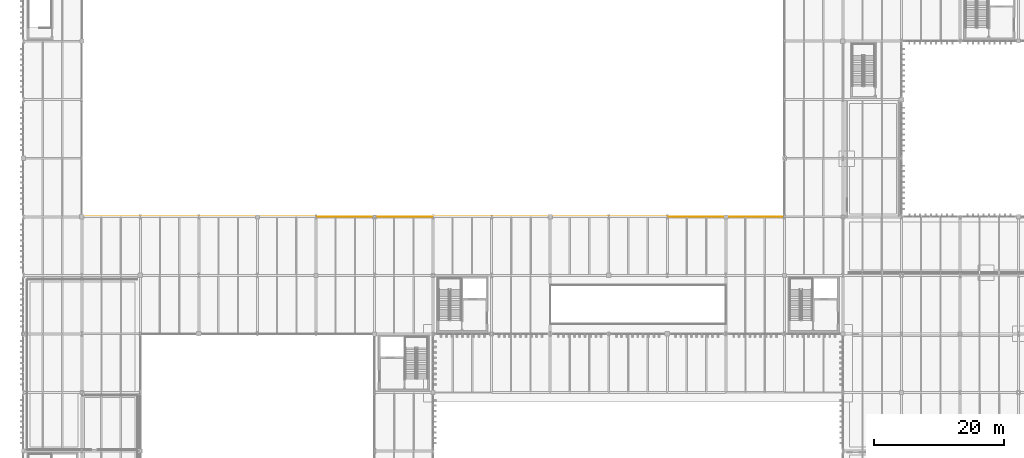
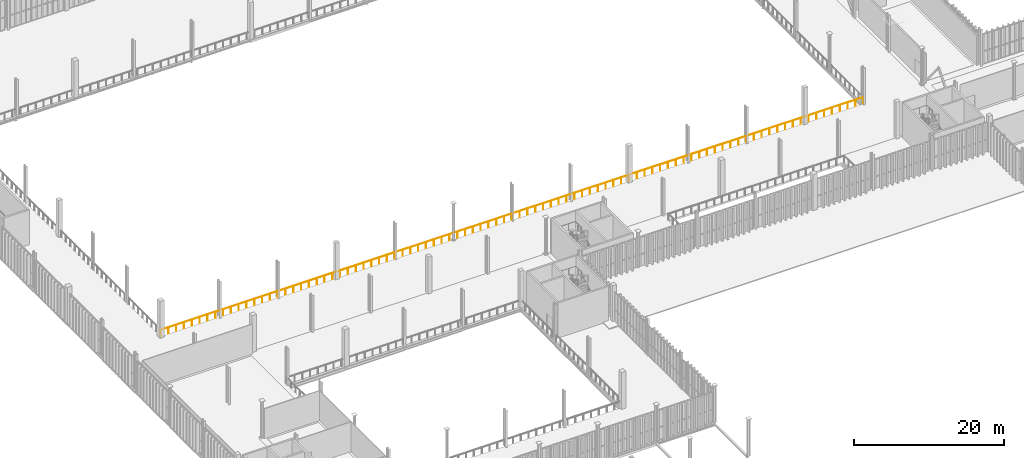
# One storey, part 190 of 211: 1 railing.
"""IFC4 building model written with IfcOpenShell, lengths in metres."""

from ifc_helpers import new_model, si_unit, direction, frame, origin, origin_2d, place, context, subcontext, project, spatial, circle, extrude, material, type_object, element, save


model = new_model("IFC4")

# Units and contexts
model_context = context("Model", 3, precision=1e-05, world=origin(), true_north=direction((0.0, 1.0)))
body_context = subcontext(model_context, "Body", "Model", "MODEL_VIEW")
ifc_project = project(units=[si_unit("LENGTHUNIT", "METRE"), si_unit("AREAUNIT", "SQUARE_METRE"), si_unit("VOLUMEUNIT", "CUBIC_METRE"), si_unit("PLANEANGLEUNIT", "RADIAN"), si_unit("MASSUNIT", "GRAM", prefix="KILO")], contexts=[model_context])

# Site, building, storey
site_placement = place(None, origin())
site = spatial("IfcSite", under=ifc_project, at=site_placement, CompositionType="ELEMENT")
building_placement = place(site_placement, origin())
building = spatial("IfcBuilding", under=site, at=building_placement, Name="Barlavento Convention Centre", CompositionType="ELEMENT")
storey_placement = place(building_placement, frame((0.0, 0.0, 6.0)))
storey = spatial("IfcBuildingStorey", under=building, at=storey_placement, Name="L01", CompositionType="ELEMENT", Elevation=6.0)

# Railing
ifc_material = material(Name="Stainless steel and laminated glass balustrade", Category="steel")
railing_type = type_object("IfcRailingType", Name="ARC-RAL-BAL-1100", PredefinedType="BALUSTRADE", material=ifc_material)
railing_placement = place(storey_placement, frame((9.0, 63.0, 0.0)))
element("IfcRailing", 1, at=railing_placement, inside=storey, type_object=railing_type, Name="L01 interior atrium or gallery balustrade GR01", PredefinedType="BALUSTRADE", context=body_context, shape_type="SweptSolid", body=[
    extrude(circle(Radius=0.02392578125, at=origin_2d()), frame((0.0, 0.0, 1.076171875), z_axis=(1.0, 0.0, 0.0), x_axis=(0.0, 1.0, 0.0)), (0.0, 0.0, 1.0), 108.0),
    extrude(circle(Radius=0.02099609375, at=origin_2d()), origin(), (0.0, 0.0, 1.0), 1.052001953125),
    extrude(circle(Radius=0.02099609375, at=origin_2d()), frame((1.199951171875, 0.0, 0.0)), (0.0, 0.0, 1.0), 1.052001953125),
    extrude(circle(Radius=0.02099609375, at=origin_2d()), frame((2.39990234375, 0.0, 0.0)), (0.0, 0.0, 1.0), 1.052001953125),
    extrude(circle(Radius=0.02099609375, at=origin_2d()), frame((3.60009765625, 0.0, 0.0)), (0.0, 0.0, 1.0), 1.052001953125),
    extrude(circle(Radius=0.02099609375, at=origin_2d()), frame((4.800048828125, 0.0, 0.0)), (0.0, 0.0, 1.0), 1.052001953125),
    extrude(circle(Radius=0.02099609375, at=origin_2d()), frame((6.0, 0.0, 0.0)), (0.0, 0.0, 1.0), 1.052001953125),
    extrude(circle(Radius=0.02099609375, at=origin_2d()), frame((7.199951171875, 0.0, 0.0)), (0.0, 0.0, 1.0), 1.052001953125),
    extrude(circle(Radius=0.02099609375, at=origin_2d()), frame((8.39990234375, 0.0, 0.0)), (0.0, 0.0, 1.0), 1.052001953125),
    extrude(circle(Radius=0.02099609375, at=origin_2d()), frame((9.60009765625, 0.0, 0.0)), (0.0, 0.0, 1.0), 1.052001953125),
    extrude(circle(Radius=0.02099609375, at=origin_2d()), frame((10.800048828125, 0.0, 0.0)), (0.0, 0.0, 1.0), 1.052001953125),
    extrude(circle(Radius=0.02099609375, at=origin_2d()), frame((12.0, 0.0, 0.0)), (0.0, 0.0, 1.0), 1.052001953125),
    extrude(circle(Radius=0.02099609375, at=origin_2d()), frame((13.199951171875, 0.0, 0.0)), (0.0, 0.0, 1.0), 1.052001953125),
    extrude(circle(Radius=0.02099609375, at=origin_2d()), frame((14.39990234375, 0.0, 0.0)), (0.0, 0.0, 1.0), 1.052001953125),
    extrude(circle(Radius=0.02099609375, at=origin_2d()), frame((15.60009765625, 0.0, 0.0)), (0.0, 0.0, 1.0), 1.052001953125),
    extrude(circle(Radius=0.02099609375, at=origin_2d()), frame((16.800048828125, 0.0, 0.0)), (0.0, 0.0, 1.0), 1.052001953125),
    extrude(circle(Radius=0.02099609375, at=origin_2d()), frame((18.0, 0.0, 0.0)), (0.0, 0.0, 1.0), 1.052001953125),
    extrude(circle(Radius=0.02099609375, at=origin_2d()), frame((19.199951171875, 0.0, 0.0)), (0.0, 0.0, 1.0), 1.052001953125),
    extrude(circle(Radius=0.02099609375, at=origin_2d()), frame((20.39990234375, 0.0, 0.0)), (0.0, 0.0, 1.0), 1.052001953125),
    extrude(circle(Radius=0.02099609375, at=origin_2d()), frame((21.60009765625, 0.0, 0.0)), (0.0, 0.0, 1.0), 1.052001953125),
    extrude(circle(Radius=0.02099609375, at=origin_2d()), frame((22.800048828125, 0.0, 0.0)), (0.0, 0.0, 1.0), 1.052001953125),
    extrude(circle(Radius=0.02099609375, at=origin_2d()), frame((24.0, 0.0, 0.0)), (0.0, 0.0, 1.0), 1.052001953125),
    extrude(circle(Radius=0.02099609375, at=origin_2d()), frame((25.199951171875, 0.0, 0.0)), (0.0, 0.0, 1.0), 1.052001953125),
    extrude(circle(Radius=0.02099609375, at=origin_2d()), frame((26.39990234375, 0.0, 0.0)), (0.0, 0.0, 1.0), 1.052001953125),
    extrude(circle(Radius=0.02099609375, at=origin_2d()), frame((27.60009765625, 0.0, 0.0)), (0.0, 0.0, 1.0), 1.052001953125),
    extrude(circle(Radius=0.02099609375, at=origin_2d()), frame((28.800048828125, 0.0, 0.0)), (0.0, 0.0, 1.0), 1.052001953125),
    extrude(circle(Radius=0.02099609375, at=origin_2d()), frame((30.0, 0.0, 0.0)), (0.0, 0.0, 1.0), 1.052001953125),
    extrude(circle(Radius=0.02099609375, at=origin_2d()), frame((31.199951171875, 0.0, 0.0)), (0.0, 0.0, 1.0), 1.052001953125),
    extrude(circle(Radius=0.02099609375, at=origin_2d()), frame((32.39990234375, 0.0, 0.0)), (0.0, 0.0, 1.0), 1.052001953125),
    extrude(circle(Radius=0.02099609375, at=origin_2d()), frame((33.60009765625, 0.0, 0.0)), (0.0, 0.0, 1.0), 1.052001953125),
    extrude(circle(Radius=0.02099609375, at=origin_2d()), frame((34.800048828125, 0.0, 0.0)), (0.0, 0.0, 1.0), 1.052001953125),
    extrude(circle(Radius=0.02099609375, at=origin_2d()), frame((36.0, 0.0, 0.0)), (0.0, 0.0, 1.0), 1.052001953125),
    extrude(circle(Radius=0.02099609375, at=origin_2d()), frame((37.199951171875, 0.0, 0.0)), (0.0, 0.0, 1.0), 1.052001953125),
    extrude(circle(Radius=0.02099609375, at=origin_2d()), frame((38.39990234375, 0.0, 0.0)), (0.0, 0.0, 1.0), 1.052001953125),
    extrude(circle(Radius=0.02099609375, at=origin_2d()), frame((39.60009765625, 0.0, 0.0)), (0.0, 0.0, 1.0), 1.052001953125),
    extrude(circle(Radius=0.02099609375, at=origin_2d()), frame((40.800048828125, 0.0, 0.0)), (0.0, 0.0, 1.0), 1.052001953125),
    extrude(circle(Radius=0.02099609375, at=origin_2d()), frame((42.0, 0.0, 0.0)), (0.0, 0.0, 1.0), 1.052001953125),
    extrude(circle(Radius=0.02099609375, at=origin_2d()), frame((43.199951171875, 0.0, 0.0)), (0.0, 0.0, 1.0), 1.052001953125),
    extrude(circle(Radius=0.02099609375, at=origin_2d()), frame((44.39990234375, 0.0, 0.0)), (0.0, 0.0, 1.0), 1.052001953125),
    extrude(circle(Radius=0.02099609375, at=origin_2d()), frame((45.60009765625, 0.0, 0.0)), (0.0, 0.0, 1.0), 1.052001953125),
    extrude(circle(Radius=0.02099609375, at=origin_2d()), frame((46.800048828125, 0.0, 0.0)), (0.0, 0.0, 1.0), 1.052001953125),
    extrude(circle(Radius=0.02099609375, at=origin_2d()), frame((48.0, 0.0, 0.0)), (0.0, 0.0, 1.0), 1.052001953125),
    extrude(circle(Radius=0.02099609375, at=origin_2d()), frame((49.199951171875, 0.0, 0.0)), (0.0, 0.0, 1.0), 1.052001953125),
    extrude(circle(Radius=0.02099609375, at=origin_2d()), frame((50.39990234375, 0.0, 0.0)), (0.0, 0.0, 1.0), 1.052001953125),
    extrude(circle(Radius=0.02099609375, at=origin_2d()), frame((51.60009765625, 0.0, 0.0)), (0.0, 0.0, 1.0), 1.052001953125),
    extrude(circle(Radius=0.02099609375, at=origin_2d()), frame((52.800048828125, 0.0, 0.0)), (0.0, 0.0, 1.0), 1.052001953125),
    extrude(circle(Radius=0.02099609375, at=origin_2d()), frame((54.0, 0.0, 0.0)), (0.0, 0.0, 1.0), 1.052001953125),
    extrude(circle(Radius=0.02099609375, at=origin_2d()), frame((55.199951171875, 0.0, 0.0)), (0.0, 0.0, 1.0), 1.052001953125),
    extrude(circle(Radius=0.02099609375, at=origin_2d()), frame((56.39990234375, 0.0, 0.0)), (0.0, 0.0, 1.0), 1.052001953125),
    extrude(circle(Radius=0.02099609375, at=origin_2d()), frame((57.60009765625, 0.0, 0.0)), (0.0, 0.0, 1.0), 1.052001953125),
    extrude(circle(Radius=0.02099609375, at=origin_2d()), frame((58.800048828125, 0.0, 0.0)), (0.0, 0.0, 1.0), 1.052001953125),
    extrude(circle(Radius=0.02099609375, at=origin_2d()), frame((60.0, 0.0, 0.0)), (0.0, 0.0, 1.0), 1.052001953125),
    extrude(circle(Radius=0.02099609375, at=origin_2d()), frame((61.199951171875, 0.0, 0.0)), (0.0, 0.0, 1.0), 1.052001953125),
    extrude(circle(Radius=0.02099609375, at=origin_2d()), frame((62.39990234375, 0.0, 0.0)), (0.0, 0.0, 1.0), 1.052001953125),
    extrude(circle(Radius=0.02099609375, at=origin_2d()), frame((63.60009765625, 0.0, 0.0)), (0.0, 0.0, 1.0), 1.052001953125),
    extrude(circle(Radius=0.02099609375, at=origin_2d()), frame((64.800048828125, 0.0, 0.0)), (0.0, 0.0, 1.0), 1.052001953125),
    extrude(circle(Radius=0.02099609375, at=origin_2d()), frame((66.0, 0.0, 0.0)), (0.0, 0.0, 1.0), 1.052001953125),
    extrude(circle(Radius=0.02099609375, at=origin_2d()), frame((67.199951171875, 0.0, 0.0)), (0.0, 0.0, 1.0), 1.052001953125),
    extrude(circle(Radius=0.02099609375, at=origin_2d()), frame((68.39990234375, 0.0, 0.0)), (0.0, 0.0, 1.0), 1.052001953125),
    extrude(circle(Radius=0.02099609375, at=origin_2d()), frame((69.60009765625, 0.0, 0.0)), (0.0, 0.0, 1.0), 1.052001953125),
    extrude(circle(Radius=0.02099609375, at=origin_2d()), frame((70.800048828125, 0.0, 0.0)), (0.0, 0.0, 1.0), 1.052001953125),
    extrude(circle(Radius=0.02099609375, at=origin_2d()), frame((72.0, 0.0, 0.0)), (0.0, 0.0, 1.0), 1.052001953125),
    extrude(circle(Radius=0.02099609375, at=origin_2d()), frame((73.199951171875, 0.0, 0.0)), (0.0, 0.0, 1.0), 1.052001953125),
    extrude(circle(Radius=0.02099609375, at=origin_2d()), frame((74.39990234375, 0.0, 0.0)), (0.0, 0.0, 1.0), 1.052001953125),
    extrude(circle(Radius=0.02099609375, at=origin_2d()), frame((75.60009765625, 0.0, 0.0)), (0.0, 0.0, 1.0), 1.052001953125),
    extrude(circle(Radius=0.02099609375, at=origin_2d()), frame((76.800048828125, 0.0, 0.0)), (0.0, 0.0, 1.0), 1.052001953125),
    extrude(circle(Radius=0.02099609375, at=origin_2d()), frame((78.0, 0.0, 0.0)), (0.0, 0.0, 1.0), 1.052001953125),
    extrude(circle(Radius=0.02099609375, at=origin_2d()), frame((79.199951171875, 0.0, 0.0)), (0.0, 0.0, 1.0), 1.052001953125),
    extrude(circle(Radius=0.02099609375, at=origin_2d()), frame((80.39990234375, 0.0, 0.0)), (0.0, 0.0, 1.0), 1.052001953125),
    extrude(circle(Radius=0.02099609375, at=origin_2d()), frame((81.60009765625, 0.0, 0.0)), (0.0, 0.0, 1.0), 1.052001953125),
    extrude(circle(Radius=0.02099609375, at=origin_2d()), frame((82.800048828125, 0.0, 0.0)), (0.0, 0.0, 1.0), 1.052001953125),
    extrude(circle(Radius=0.02099609375, at=origin_2d()), frame((84.0, 0.0, 0.0)), (0.0, 0.0, 1.0), 1.052001953125),
    extrude(circle(Radius=0.02099609375, at=origin_2d()), frame((85.199951171875, 0.0, 0.0)), (0.0, 0.0, 1.0), 1.052001953125),
    extrude(circle(Radius=0.02099609375, at=origin_2d()), frame((86.39990234375, 0.0, 0.0)), (0.0, 0.0, 1.0), 1.052001953125),
    extrude(circle(Radius=0.02099609375, at=origin_2d()), frame((87.60009765625, 0.0, 0.0)), (0.0, 0.0, 1.0), 1.052001953125),
    extrude(circle(Radius=0.02099609375, at=origin_2d()), frame((88.800048828125, 0.0, 0.0)), (0.0, 0.0, 1.0), 1.052001953125),
    extrude(circle(Radius=0.02099609375, at=origin_2d()), frame((90.0, 0.0, 0.0)), (0.0, 0.0, 1.0), 1.052001953125),
    extrude(circle(Radius=0.02099609375, at=origin_2d()), frame((91.199951171875, 0.0, 0.0)), (0.0, 0.0, 1.0), 1.052001953125),
    extrude(circle(Radius=0.02099609375, at=origin_2d()), frame((92.39990234375, 0.0, 0.0)), (0.0, 0.0, 1.0), 1.052001953125),
    extrude(circle(Radius=0.02099609375, at=origin_2d()), frame((93.60009765625, 0.0, 0.0)), (0.0, 0.0, 1.0), 1.052001953125),
    extrude(circle(Radius=0.02099609375, at=origin_2d()), frame((94.800048828125, 0.0, 0.0)), (0.0, 0.0, 1.0), 1.052001953125),
    extrude(circle(Radius=0.02099609375, at=origin_2d()), frame((96.0, 0.0, 0.0)), (0.0, 0.0, 1.0), 1.052001953125),
    extrude(circle(Radius=0.02099609375, at=origin_2d()), frame((97.199951171875, 0.0, 0.0)), (0.0, 0.0, 1.0), 1.052001953125),
    extrude(circle(Radius=0.02099609375, at=origin_2d()), frame((98.39990234375, 0.0, 0.0)), (0.0, 0.0, 1.0), 1.052001953125),
    extrude(circle(Radius=0.02099609375, at=origin_2d()), frame((99.60009765625, 0.0, 0.0)), (0.0, 0.0, 1.0), 1.052001953125),
    extrude(circle(Radius=0.02099609375, at=origin_2d()), frame((100.800048828125, 0.0, 0.0)), (0.0, 0.0, 1.0), 1.052001953125),
    extrude(circle(Radius=0.02099609375, at=origin_2d()), frame((102.0, 0.0, 0.0)), (0.0, 0.0, 1.0), 1.052001953125),
    extrude(circle(Radius=0.02099609375, at=origin_2d()), frame((103.199951171875, 0.0, 0.0)), (0.0, 0.0, 1.0), 1.052001953125),
    extrude(circle(Radius=0.02099609375, at=origin_2d()), frame((104.39990234375, 0.0, 0.0)), (0.0, 0.0, 1.0), 1.052001953125),
    extrude(circle(Radius=0.02099609375, at=origin_2d()), frame((105.60009765625, 0.0, 0.0)), (0.0, 0.0, 1.0), 1.052001953125),
    extrude(circle(Radius=0.02099609375, at=origin_2d()), frame((106.800048828125, 0.0, 0.0)), (0.0, 0.0, 1.0), 1.052001953125),
    extrude(circle(Radius=0.02099609375, at=origin_2d()), frame((108.0, 0.0, 0.0)), (0.0, 0.0, 1.0), 1.052001953125),
])

save(model, "model.ifc")
